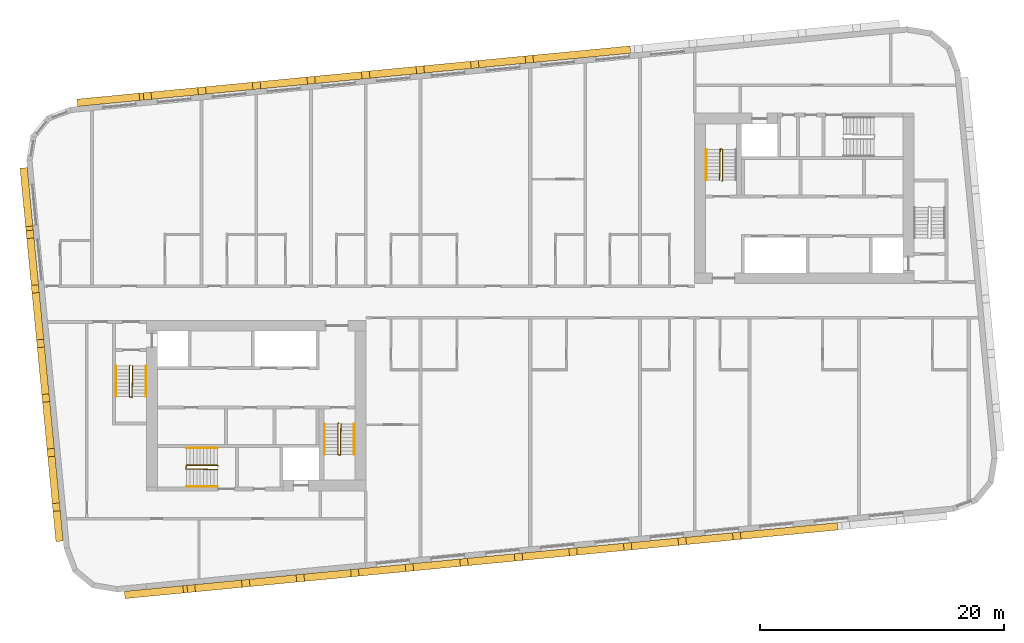
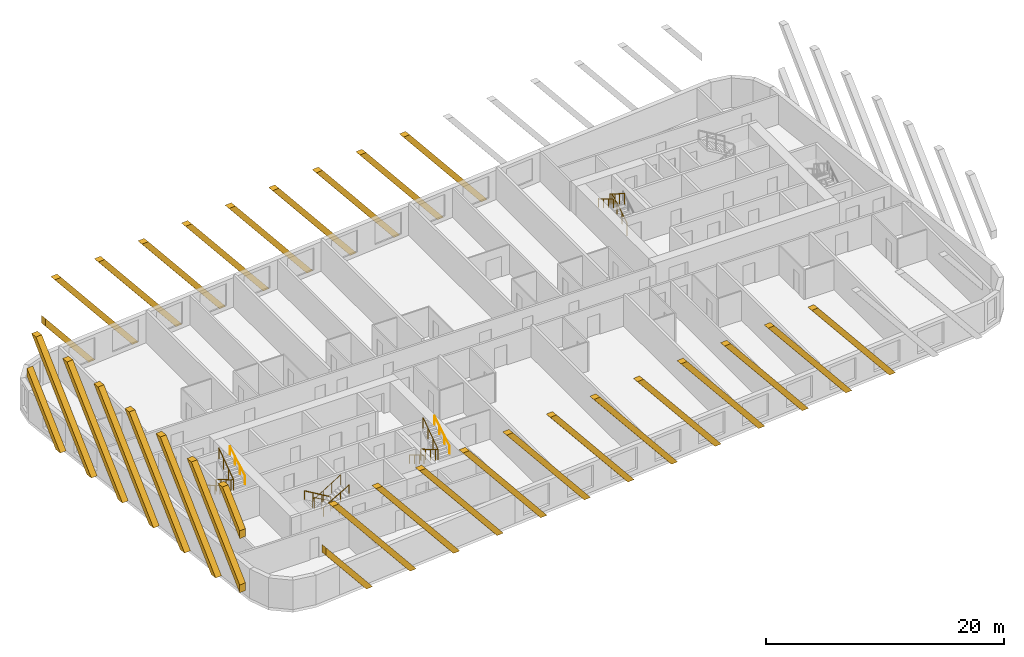
# One storey, part 11 of 12: 31 coverings, 11 railings.
"""IFC4 building model written with IfcOpenShell, lengths in metres."""

from ifc_helpers import new_model, si_unit, direction, frame, origin, origin_2d, place, context, subcontext, project, spatial, polyline, rectangle, circle, outline, extrude, material, material_profile, profile_set, type_object, element, save


model = new_model("IFC4")

# Units and contexts
model_context = context("Model", 3, precision=1e-05, world=origin(), true_north=direction((0.0, 1.0)))
body_context = subcontext(model_context, "Body", "Model", "MODEL_VIEW")
ifc_project = project(units=[si_unit("LENGTHUNIT", "METRE"), si_unit("AREAUNIT", "SQUARE_METRE"), si_unit("VOLUMEUNIT", "CUBIC_METRE"), si_unit("PLANEANGLEUNIT", "RADIAN"), si_unit("MASSUNIT", "GRAM", prefix="KILO")], contexts=[model_context])

# Site, building, storey
site_placement = place(None, origin())
site = spatial("IfcSite", under=ifc_project, at=site_placement, CompositionType="ELEMENT")
building_placement = place(site_placement, origin())
building = spatial("IfcBuilding", under=site, at=building_placement, Name="Kajstack Hotel Tower", CompositionType="ELEMENT")
storey_placement = place(building_placement, frame((0.0, 0.0, 288.300048828125)))
storey = spatial("IfcBuildingStorey", under=building, at=storey_placement, Name="L72", CompositionType="ELEMENT", Elevation=288.300048828125)

# Coverings
ifc_material_1 = material(Name="Terracotta", Category="masonry")
ifc_material_profile = material_profile(ifc_material_1, rectangle(XDim=0.60009765625, YDim=0.5, at=origin_2d()), Name="Terracotta-clad concrete baguette 500 x 600")
ifc_profile_set = profile_set([ifc_material_profile], Name="Terracotta")
covering_type = type_object("IfcCoveringType", Name="BAGUETTE 500x600", PredefinedType="CLADDING", material=ifc_profile_set)
covering_1_placement = place(storey_placement, frame((-41.298828125, 11.0390625, 0.0), z_axis=(-0.995377661201, -0.096038073607, 0.0), x_axis=(0.096038073607, -0.995377661201, 0.0)))
element("IfcCovering", 1, at=covering_1_placement, inside=storey, type_object=covering_type, Name="Baguette L72-00-002", PredefinedType="CLADDING", context=body_context, shape_type="SweptSolid", body=[
    extrude(outline(polyline([(4.82177734375, 0.0), (0.0, 5.954345703125), (0.0, 5.15966796875), (4.17822265625, 0.0), (4.82177734375, 0.0)])), origin(), (0.0, 0.0, 1.0), 0.599853515625),
])
for number, where, z_axis, x_axis, name in (
    (2, (-41.2353515625, 10.380615234375, 0.0), (-0.995416482233, -0.095634862357, 0.0), (0.095634862357, -0.995416482233, 0.0), "Baguette L72-00-006"),
    (3, (-40.80419921875, 5.9013671875, 0.0), (-0.995377661201, -0.096038073607, 0.0), (0.096038073607, -0.995377661201, 0.0), "Baguette L72-00-010"),
    (4, (-40.372802734375, 1.422119140625, 0.0), (-0.995377661201, -0.096038073607, 0.0), (0.096038073607, -0.995377661201, 0.0), "Baguette L72-00-014"),
):
    element("IfcCovering", number, at=place(storey_placement, frame(where, z_axis=z_axis, x_axis=x_axis)), inside=storey, type_object=covering_type, Name=name, PredefinedType="CLADDING", context=body_context, shape_type="SweptSolid", body=[
        extrude(outline(polyline([(0.0, 9.89990234375), (8.016845703125, 0.0), (8.66015625, 0.0), (0.643310546875, 9.89990234375), (0.0, 9.89990234375)])), origin(), (0.0, 0.0, 1.0), 0.599853515625),
    ])
covering_2_placement = place(storey_placement, frame((-39.94140625, -3.05712890625, 0.0), z_axis=(-0.995381412265, -0.095999188106, 0.0), x_axis=(0.095999188106, -0.995381412265, 0.0)))
element("IfcCovering", 5, at=covering_2_placement, inside=storey, type_object=covering_type, Name="Baguette L72-00-018", PredefinedType="CLADDING", context=body_context, shape_type="SweptSolid", body=[
    extrude(outline(polyline([(0.0, 9.89990234375), (8.016845703125, 0.0), (8.66015625, 0.0), (0.643310546875, 9.89990234375), (0.0, 9.89990234375)])), origin(), (0.0, 0.0, 1.0), 0.60009765625),
])
covering_3_placement = place(storey_placement, frame((-39.51025390625, -7.536376953125, 0.0), z_axis=(-0.995377661201, -0.096038073607, 0.0), x_axis=(0.096038073607, -0.995377661201, 0.0)))
element("IfcCovering", 6, at=covering_3_placement, inside=storey, type_object=covering_type, Name="Baguette L72-00-022", PredefinedType="CLADDING", context=body_context, shape_type="SweptSolid", body=[
    extrude(outline(polyline([(0.0, 9.89990234375), (8.016845703125, 0.0), (8.66015625, 0.0), (0.643310546875, 9.89990234375), (0.0, 9.89990234375)])), origin(), (0.0, 0.0, 1.0), 0.599853515625),
])
covering_4_placement = place(storey_placement, frame((-39.078857421875, -12.015869140625, 0.0), z_axis=(-0.995416482233, -0.095634862357, 0.0), x_axis=(0.095634862357, -0.995416482233, 0.0)))
element("IfcCovering", 7, at=covering_4_placement, inside=storey, type_object=covering_type, Name="Baguette L72-00-026", PredefinedType="CLADDING", context=body_context, shape_type="SweptSolid", body=[
    extrude(outline(polyline([(0.0, 9.89990234375), (7.638671875, 0.46728515625), (7.638671875, 1.26171875), (0.643310546875, 9.89990234375), (0.0, 9.89990234375)])), origin(), (0.0, 0.0, 1.0), 0.599853515625),
])
covering_5_placement = place(storey_placement, frame((-38.6474609375, -16.4951171875, 0.0), z_axis=(-0.995420202011, -0.095596137095, 0.0), x_axis=(0.095596137095, -0.995420202011, 0.0)))
element("IfcCovering", 8, at=covering_5_placement, inside=storey, type_object=covering_type, Name="Baguette L72-00-030", PredefinedType="CLADDING", context=body_context, shape_type="SweptSolid", body=[
    extrude(outline(polyline([(0.0, 9.89990234375), (3.138671875, 6.024169921875), (3.138671875, 6.818603515625), (0.643310546875, 9.89990234375), (0.0, 9.89990234375)])), origin(), (0.0, 0.0, 1.0), 0.60009765625),
])
covering_6_placement = place(storey_placement, frame((-33.3271484375, -23.757080078125, 0.0), z_axis=(0.096038073607, -0.995377661201, 0.0), x_axis=(0.995377661201, 0.096038073607, 0.0)))
element("IfcCovering", 9, at=covering_6_placement, inside=storey, type_object=covering_type, Name="Baguette L72-04-002", PredefinedType="CLADDING", context=body_context, shape_type="SweptSolid", body=[
    extrude(outline(polyline([(4.82177734375, 0.0), (0.0, 5.954345703125), (0.0, 5.15966796875), (4.17822265625, 0.0), (4.82177734375, 0.0)])), origin(), (0.0, 0.0, 1.0), 0.599853515625),
])
covering_7_placement = place(storey_placement, frame((-32.668701171875, -23.693603515625, 0.0), z_axis=(0.095999188106, -0.995381412265, 0.0), x_axis=(0.995381412265, 0.095999188106, 0.0)))
element("IfcCovering", 10, at=covering_7_placement, inside=storey, type_object=covering_type, Name="Baguette L72-04-006", PredefinedType="CLADDING", context=body_context, shape_type="SweptSolid", body=[
    extrude(outline(polyline([(0.0, 9.89990234375), (8.016845703125, 0.0), (8.66015625, 0.0), (0.643310546875, 9.89990234375), (0.0, 9.89990234375)])), origin(), (0.0, 0.0, 1.0), 0.60009765625),
])
for number, where, z_axis, x_axis, name in (
    (11, (-28.189453125, -23.262451171875, 0.0), (0.096038073607, -0.995377661201, 0.0), (0.995377661201, 0.096038073607, 0.0), "Baguette L72-04-010"),
    (12, (-23.710205078125, -22.8310546875, 0.0), (0.096038073607, -0.995377661201, 0.0), (0.995377661201, 0.096038073607, 0.0), "Baguette L72-04-014"),
):
    element("IfcCovering", number, at=place(storey_placement, frame(where, z_axis=z_axis, x_axis=x_axis)), inside=storey, type_object=covering_type, Name=name, PredefinedType="CLADDING", context=body_context, shape_type="SweptSolid", body=[
        extrude(outline(polyline([(0.0, 9.89990234375), (8.016845703125, 0.0), (8.66015625, 0.0), (0.643310546875, 9.89990234375), (0.0, 9.89990234375)])), origin(), (0.0, 0.0, 1.0), 0.599853515625),
    ])
covering_8_placement = place(storey_placement, frame((-19.230712890625, -22.399658203125, 0.0), z_axis=(0.095596137095, -0.995420202011, 0.0), x_axis=(0.995420202011, 0.095596137095, 0.0)))
element("IfcCovering", 13, at=covering_8_placement, inside=storey, type_object=covering_type, Name="Baguette L72-04-018", PredefinedType="CLADDING", context=body_context, shape_type="SweptSolid", body=[
    extrude(outline(polyline([(0.0, 9.89990234375), (8.016845703125, 0.0), (8.66015625, 0.0), (0.643310546875, 9.89990234375), (0.0, 9.89990234375)])), origin(), (0.0, 0.0, 1.0), 0.60009765625),
])
for number, where, z_axis, x_axis, name in (
    (14, (-14.75146484375, -21.968505859375, 0.0), (0.095634862357, -0.995416482233, 0.0), (0.995416482233, 0.095634862357, 0.0), "Baguette L72-04-022"),
    (15, (-10.272216796875, -21.537109375, 0.0), (0.095634862357, -0.995416482233, 0.0), (0.995416482233, 0.095634862357, 0.0), "Baguette L72-04-026"),
    (16, (-5.79296875, -21.10595703125, 0.0), (0.096038073607, -0.995377661201, 0.0), (0.995377661201, 0.096038073607, 0.0), "Baguette L72-04-030"),
    (17, (-1.313720703125, -20.674560546875, 0.0), (0.096038073607, -0.995377661201, 0.0), (0.995377661201, 0.096038073607, 0.0), "Baguette L72-04-034"),
):
    element("IfcCovering", number, at=place(storey_placement, frame(where, z_axis=z_axis, x_axis=x_axis)), inside=storey, type_object=covering_type, Name=name, PredefinedType="CLADDING", context=body_context, shape_type="SweptSolid", body=[
        extrude(outline(polyline([(0.0, 9.89990234375), (8.016845703125, 0.0), (8.66015625, 0.0), (0.643310546875, 9.89990234375), (0.0, 9.89990234375)])), origin(), (0.0, 0.0, 1.0), 0.599853515625),
    ])
covering_9_placement = place(storey_placement, frame((3.16552734375, -20.2431640625, 0.0), z_axis=(0.095999188106, -0.995381412265, 0.0), x_axis=(0.995381412265, 0.095999188106, 0.0)))
element("IfcCovering", 18, at=covering_9_placement, inside=storey, type_object=covering_type, Name="Baguette L72-04-038", PredefinedType="CLADDING", context=body_context, shape_type="SweptSolid", body=[
    extrude(outline(polyline([(0.0, 9.89990234375), (8.016845703125, 0.0), (8.66015625, 0.0), (0.643310546875, 9.89990234375), (0.0, 9.89990234375)])), origin(), (0.0, 0.0, 1.0), 0.60009765625),
])
for number, where, z_axis, x_axis, name in (
    (19, (7.644775390625, -19.81201171875, 0.0), (0.096038073607, -0.995377661201, 0.0), (0.995377661201, 0.096038073607, 0.0), "Baguette L72-04-042"),
    (20, (12.1240234375, -19.380615234375, 0.0), (0.096038073607, -0.995377661201, 0.0), (0.995377661201, 0.096038073607, 0.0), "Baguette L72-04-046"),
):
    element("IfcCovering", number, at=place(storey_placement, frame(where, z_axis=z_axis, x_axis=x_axis)), inside=storey, type_object=covering_type, Name=name, PredefinedType="CLADDING", context=body_context, shape_type="SweptSolid", body=[
        extrude(outline(polyline([(0.0, 9.89990234375), (8.016845703125, 0.0), (8.66015625, 0.0), (0.643310546875, 9.89990234375), (0.0, 9.89990234375)])), origin(), (0.0, 0.0, 1.0), 0.599853515625),
    ])
covering_10_placement = place(storey_placement, frame((16.603515625, -18.94921875, 0.0), z_axis=(0.095596137095, -0.995420202011, 0.0), x_axis=(0.995420202011, 0.095596137095, 0.0)))
element("IfcCovering", 21, at=covering_10_placement, inside=storey, type_object=covering_type, Name="Baguette L72-04-050", PredefinedType="CLADDING", context=body_context, shape_type="SweptSolid", body=[
    extrude(outline(polyline([(0.0, 9.89990234375), (8.016845703125, 0.0), (8.66015625, 0.0), (0.643310546875, 9.89990234375), (0.0, 9.89990234375)])), origin(), (0.0, 0.0, 1.0), 0.60009765625),
])
covering_11_placement = place(storey_placement, frame((8.2509765625, 20.431396484375, 0.0), z_axis=(-0.096038073607, 0.995377661201, 0.0), x_axis=(-0.995377661201, -0.096038073607, 0.0)))
element("IfcCovering", 22, at=covering_11_placement, inside=storey, type_object=covering_type, Name="Baguette L72-12-026", PredefinedType="CLADDING", context=body_context, shape_type="SweptSolid", body=[
    extrude(outline(polyline([(8.016845703125, 9.89990234375), (0.0, 0.0), (0.643310546875, 0.0), (8.66015625, 9.89990234375), (8.016845703125, 9.89990234375)])), origin(), (0.0, 0.0, 1.0), 0.599853515625),
])
covering_12_placement = place(storey_placement, frame((3.771484375, 20.0, 0.0), z_axis=(-0.095596137095, 0.995420202011, 0.0), x_axis=(-0.995420202011, -0.095596137095, 0.0)))
element("IfcCovering", 23, at=covering_12_placement, inside=storey, type_object=covering_type, Name="Baguette L72-12-030", PredefinedType="CLADDING", context=body_context, shape_type="SweptSolid", body=[
    extrude(outline(polyline([(8.016845703125, 9.89990234375), (0.0, 0.0), (0.643310546875, 0.0), (8.66015625, 9.89990234375), (8.016845703125, 9.89990234375)])), origin(), (0.0, 0.0, 1.0), 0.60009765625),
])
for number, where, z_axis, x_axis, name in (
    (24, (-0.707763671875, 19.56884765625, 0.0), (-0.095634862357, 0.995416482233, 0.0), (-0.995416482233, -0.095634862357, 0.0), "Baguette L72-12-034"),
    (25, (-5.18701171875, 19.137451171875, 0.0), (-0.095634862357, 0.995416482233, 0.0), (-0.995416482233, -0.095634862357, 0.0), "Baguette L72-12-038"),
):
    element("IfcCovering", number, at=place(storey_placement, frame(where, z_axis=z_axis, x_axis=x_axis)), inside=storey, type_object=covering_type, Name=name, PredefinedType="CLADDING", context=body_context, shape_type="SweptSolid", body=[
        extrude(outline(polyline([(8.016845703125, 9.89990234375), (0.0, 0.0), (0.643310546875, 0.0), (8.66015625, 9.89990234375), (8.016845703125, 9.89990234375)])), origin(), (0.0, 0.0, 1.0), 0.599853515625),
    ])
covering_13_placement = place(storey_placement, frame((-9.666259765625, 18.7060546875, 0.0), z_axis=(-0.095999188106, 0.995381412265, 0.0), x_axis=(-0.995381412265, -0.095999188106, 0.0)))
element("IfcCovering", 26, at=covering_13_placement, inside=storey, type_object=covering_type, Name="Baguette L72-12-042", PredefinedType="CLADDING", context=body_context, shape_type="SweptSolid", body=[
    extrude(outline(polyline([(8.016845703125, 9.89990234375), (0.0, 0.0), (0.643310546875, 0.0), (8.66015625, 9.89990234375), (8.016845703125, 9.89990234375)])), origin(), (0.0, 0.0, 1.0), 0.60009765625),
])
for number, where, z_axis, x_axis, name in (
    (27, (-14.1455078125, 18.27490234375, 0.0), (-0.096038073607, 0.995377661201, 0.0), (-0.995377661201, -0.096038073607, 0.0), "Baguette L72-12-046"),
    (28, (-18.624755859375, 17.843505859375, 0.0), (-0.096038073607, 0.995377661201, 0.0), (-0.995377661201, -0.096038073607, 0.0), "Baguette L72-12-050"),
):
    element("IfcCovering", number, at=place(storey_placement, frame(where, z_axis=z_axis, x_axis=x_axis)), inside=storey, type_object=covering_type, Name=name, PredefinedType="CLADDING", context=body_context, shape_type="SweptSolid", body=[
        extrude(outline(polyline([(8.016845703125, 9.89990234375), (0.0, 0.0), (0.643310546875, 0.0), (8.66015625, 9.89990234375), (8.016845703125, 9.89990234375)])), origin(), (0.0, 0.0, 1.0), 0.599853515625),
    ])
covering_14_placement = place(storey_placement, frame((-23.10400390625, 17.412109375, 0.0), z_axis=(-0.095999188106, 0.995381412265, 0.0), x_axis=(-0.995381412265, -0.095999188106, 0.0)))
element("IfcCovering", 29, at=covering_14_placement, inside=storey, type_object=covering_type, Name="Baguette L72-12-054", PredefinedType="CLADDING", context=body_context, shape_type="SweptSolid", body=[
    extrude(outline(polyline([(8.016845703125, 9.89990234375), (0.0, 0.0), (0.643310546875, 0.0), (8.66015625, 9.89990234375), (8.016845703125, 9.89990234375)])), origin(), (0.0, 0.0, 1.0), 0.60009765625),
])
covering_15_placement = place(storey_placement, frame((-27.58349609375, 16.98095703125, 0.0), z_axis=(-0.095634862357, 0.995416482233, 0.0), x_axis=(-0.995416482233, -0.095634862357, 0.0)))
element("IfcCovering", 30, at=covering_15_placement, inside=storey, type_object=covering_type, Name="Baguette L72-12-058", PredefinedType="CLADDING", context=body_context, shape_type="SweptSolid", body=[
    extrude(outline(polyline([(8.016845703125, 9.89990234375), (0.0, 0.0), (0.643310546875, 0.0), (8.66015625, 9.89990234375), (8.016845703125, 9.89990234375)])), origin(), (0.0, 0.0, 1.0), 0.599853515625),
])
covering_16_placement = place(storey_placement, frame((-32.062744140625, 16.549560546875, 0.0), z_axis=(-0.095634862357, 0.995416482233, 0.0), x_axis=(-0.995416482233, -0.095634862357, 0.0)))
element("IfcCovering", 31, at=covering_16_placement, inside=storey, type_object=covering_type, Name="Baguette L72-12-062", PredefinedType="CLADDING", context=body_context, shape_type="SweptSolid", body=[
    extrude(outline(polyline([(0.643310546875, 0.0), (5.121826171875, 5.5302734375), (5.121826171875, 6.324951171875), (0.0, 0.0), (0.643310546875, 0.0)])), origin(), (0.0, 0.0, 1.0), 0.599853515625),
])

# Railings
ifc_material_2 = material(Name="Steel S355J2", Category="steel")
railing_type_1 = type_object("IfcRailingType", Name="Stair guard 1100", PredefinedType="GUARDRAIL", material=ifc_material_2)
railing_1_placement = place(storey_placement, frame((-32.85009765625, -5.199951171875, 0.0)))
element("IfcRailing", 32, at=railing_1_placement, inside=storey, type_object=railing_type_1, Name="L72 W1 stair guard 1", PredefinedType="GUARDRAIL", context=body_context, shape_type="SweptSolid", body=[
    extrude(circle(Radius=0.02392578125, at=origin_2d()), frame((0.0, 0.0, 1.076171875), z_axis=(-0.277450376394, -0.278810427259, 0.919394384522), x_axis=(0.708833529934, -0.705375805398, 0.0)), (0.0, 0.0, 1.0), 0.179443359375),
    extrude(circle(Radius=0.02392578125, at=origin_2d()), frame((-0.0498046875, -0.050048828125, 1.2412109375), z_axis=(0.0, -0.861560626758, 0.507654692109), x_axis=(1.0, 0.0, 0.0)), (0.0, 0.0, 1.0), 2.925048828125),
    extrude(circle(Radius=0.02392578125, at=origin_2d()), frame((-0.0498046875, -2.570068359375, 2.72607421875), z_axis=(0.970072785993, -0.242814311512, 0.0), x_axis=(0.242814311512, 0.970072785993, 0.0)), (0.0, 0.0, 1.0), 0.2060546875),
    extrude(circle(Radius=0.02392578125, at=origin_2d()), frame((0.150146484375, -2.6201171875, 2.72607421875), z_axis=(0.016384601254, 0.84136925563, 0.540212292087), x_axis=(-0.999810440751, 0.019470042781, 0.0)), (0.0, 0.0, 1.0), 3.0546875),
    extrude(circle(Radius=0.02099609375, at=origin_2d()), origin(), (0.0, 0.0, 1.0), 1.052001953125),
    extrude(circle(Radius=0.02099609375, at=origin_2d()), frame((-0.0498046875, -0.050048828125, 0.1650390625)), (0.0, 0.0, 1.0), 1.052001953125),
    extrude(circle(Radius=0.02099609375, at=origin_2d()), frame((-0.0498046875, -0.89013671875, 0.659912109375)), (0.0, 0.0, 1.0), 1.052001953125),
    extrude(circle(Radius=0.02099609375, at=origin_2d()), frame((-0.0498046875, -1.72998046875, 1.155029296875)), (0.0, 0.0, 1.0), 1.052001953125),
    extrude(circle(Radius=0.02099609375, at=origin_2d()), frame((-0.0498046875, -2.570068359375, 1.64990234375)), (0.0, 0.0, 1.0), 1.052001953125),
    extrude(circle(Radius=0.02099609375, at=origin_2d()), frame((0.150146484375, -2.6201171875, 1.64990234375)), (0.0, 0.0, 1.0), 1.052001953125),
    extrude(circle(Radius=0.02099609375, at=origin_2d()), frame((0.166748046875, -1.763427734375, 2.199951171875)), (0.0, 0.0, 1.0), 1.052001953125),
    extrude(circle(Radius=0.02099609375, at=origin_2d()), frame((0.18359375, -0.90673828125, 2.75)), (0.0, 0.0, 1.0), 1.052001953125),
    extrude(circle(Radius=0.02099609375, at=origin_2d()), frame((0.2001953125, -0.050048828125, 3.300048828125)), (0.0, 0.0, 1.0), 1.052001953125),
])
railing_2_placement = place(storey_placement, frame((-15.75, -9.949951171875, 0.0)))
element("IfcRailing", 33, at=railing_2_placement, inside=storey, type_object=railing_type_1, Name="L72 W2 stair guard 1", PredefinedType="GUARDRAIL", context=body_context, shape_type="SweptSolid", body=[
    extrude(circle(Radius=0.02392578125, at=origin_2d()), frame((0.0, 0.0, 1.076171875), z_axis=(-0.278705021027, -0.278705021027, 0.919046801044), x_axis=(0.707106781187, -0.707106781187, 0.0)), (0.0, 0.0, 1.0), 0.1796875),
    extrude(circle(Radius=0.02392578125, at=origin_2d()), frame((-0.050048828125, -0.050048828125, 1.2412109375), z_axis=(0.0, -0.861560626758, 0.507654692109), x_axis=(1.0, 0.0, 0.0)), (0.0, 0.0, 1.0), 2.925048828125),
    extrude(circle(Radius=0.02392578125, at=origin_2d()), frame((-0.050048828125, -2.570068359375, 2.72607421875), z_axis=(0.970072785993, -0.242814311512, 0.0), x_axis=(0.242814311512, 0.970072785993, 0.0)), (0.0, 0.0, 1.0), 0.2060546875),
    extrude(circle(Radius=0.02392578125, at=origin_2d()), frame((0.14990234375, -2.6201171875, 2.72607421875), z_axis=(0.016384601254, 0.84136925563, 0.540212292087), x_axis=(-0.999810440751, 0.019470042781, 0.0)), (0.0, 0.0, 1.0), 3.0546875),
    extrude(circle(Radius=0.02099609375, at=origin_2d()), origin(), (0.0, 0.0, 1.0), 1.052001953125),
    extrude(circle(Radius=0.02099609375, at=origin_2d()), frame((-0.050048828125, -0.050048828125, 0.1650390625)), (0.0, 0.0, 1.0), 1.052001953125),
    extrude(circle(Radius=0.02099609375, at=origin_2d()), frame((-0.050048828125, -0.89013671875, 0.659912109375)), (0.0, 0.0, 1.0), 1.052001953125),
    extrude(circle(Radius=0.02099609375, at=origin_2d()), frame((-0.050048828125, -1.72998046875, 1.155029296875)), (0.0, 0.0, 1.0), 1.052001953125),
    extrude(circle(Radius=0.02099609375, at=origin_2d()), frame((-0.050048828125, -2.570068359375, 1.64990234375)), (0.0, 0.0, 1.0), 1.052001953125),
    extrude(circle(Radius=0.02099609375, at=origin_2d()), frame((0.14990234375, -2.6201171875, 1.64990234375)), (0.0, 0.0, 1.0), 1.052001953125),
    extrude(circle(Radius=0.02099609375, at=origin_2d()), frame((0.16650390625, -1.763427734375, 2.199951171875)), (0.0, 0.0, 1.0), 1.052001953125),
    extrude(circle(Radius=0.02099609375, at=origin_2d()), frame((0.183349609375, -0.90673828125, 2.75)), (0.0, 0.0, 1.0), 1.052001953125),
    extrude(circle(Radius=0.02099609375, at=origin_2d()), frame((0.199951171875, -0.050048828125, 3.300048828125)), (0.0, 0.0, 1.0), 1.052001953125),
])
railing_3_placement = place(storey_placement, frame((-25.64990234375, -13.449951171875, 0.0)))
element("IfcRailing", 34, at=railing_3_placement, inside=storey, type_object=railing_type_1, Name="L72 W3 stair guard 1", PredefinedType="GUARDRAIL", context=body_context, shape_type="SweptSolid", body=[
    extrude(circle(Radius=0.02392578125, at=origin_2d()), frame((0.0, 0.0, 1.076171875), z_axis=(-0.278705021027, 0.278705021027, 0.919046801044), x_axis=(-0.707106781187, -0.707106781187, 0.0)), (0.0, 0.0, 1.0), 0.1796875),
    extrude(circle(Radius=0.02392578125, at=origin_2d()), frame((-0.050048828125, 0.050048828125, 1.2412109375), z_axis=(-0.861560626758, 0.0, 0.507654692109), x_axis=(0.0, -1.0, 0.0)), (0.0, 0.0, 1.0), 2.925048828125),
    extrude(circle(Radius=0.02392578125, at=origin_2d()), frame((-2.570068359375, 0.050048828125, 2.72607421875), z_axis=(-0.164529134168, -0.986372223864, 0.0), x_axis=(0.986372223864, -0.164529134168, 0.0)), (0.0, 0.0, 1.0), 0.30419921875),
    extrude(circle(Radius=0.02392578125, at=origin_2d()), frame((-2.6201171875, -0.25, 2.72607421875), z_axis=(0.84136925563, -0.016384601254, 0.540212292087), x_axis=(0.019470042781, 0.999810440751, 0.0)), (0.0, 0.0, 1.0), 3.0546875),
    extrude(circle(Radius=0.02099609375, at=origin_2d()), origin(), (0.0, 0.0, 1.0), 1.052001953125),
    extrude(circle(Radius=0.02099609375, at=origin_2d()), frame((-0.050048828125, 0.050048828125, 0.1650390625)), (0.0, 0.0, 1.0), 1.052001953125),
    extrude(circle(Radius=0.02099609375, at=origin_2d()), frame((-0.89013671875, 0.050048828125, 0.659912109375)), (0.0, 0.0, 1.0), 1.052001953125),
    extrude(circle(Radius=0.02099609375, at=origin_2d()), frame((-1.72998046875, 0.050048828125, 1.155029296875)), (0.0, 0.0, 1.0), 1.052001953125),
    extrude(circle(Radius=0.02099609375, at=origin_2d()), frame((-2.570068359375, 0.050048828125, 1.64990234375)), (0.0, 0.0, 1.0), 1.052001953125),
    extrude(circle(Radius=0.02099609375, at=origin_2d()), frame((-2.6201171875, -0.25, 1.64990234375)), (0.0, 0.0, 1.0), 1.052001953125),
    extrude(circle(Radius=0.02099609375, at=origin_2d()), frame((-1.763427734375, -0.2666015625, 2.199951171875)), (0.0, 0.0, 1.0), 1.052001953125),
    extrude(circle(Radius=0.02099609375, at=origin_2d()), frame((-0.90673828125, -0.283447265625, 2.75)), (0.0, 0.0, 1.0), 1.052001953125),
    extrude(circle(Radius=0.02099609375, at=origin_2d()), frame((-0.050048828125, -0.300048828125, 3.300048828125)), (0.0, 0.0, 1.0), 1.052001953125),
])
railing_4_placement = place(storey_placement, frame((15.75, 9.949951171875, 0.0)))
element("IfcRailing", 35, at=railing_4_placement, inside=storey, type_object=railing_type_1, Name="L72 E2 stair guard 1", PredefinedType="GUARDRAIL", context=body_context, shape_type="SweptSolid", body=[
    extrude(circle(Radius=0.02392578125, at=origin_2d()), frame((0.0, 0.0, 1.076171875), z_axis=(0.278705021027, 0.278705021027, 0.919046801044), x_axis=(-0.707106781187, 0.707106781187, 0.0)), (0.0, 0.0, 1.0), 0.1796875),
    extrude(circle(Radius=0.02392578125, at=origin_2d()), frame((0.050048828125, 0.050048828125, 1.2412109375), z_axis=(0.0, 0.861560626758, 0.507654692109), x_axis=(-1.0, 0.0, 0.0)), (0.0, 0.0, 1.0), 2.925048828125),
    extrude(circle(Radius=0.02392578125, at=origin_2d()), frame((0.050048828125, 2.570068359375, 2.72607421875), z_axis=(-0.970072785993, 0.242814311512, 0.0), x_axis=(-0.242814311512, -0.970072785993, 0.0)), (0.0, 0.0, 1.0), 0.2060546875),
    extrude(circle(Radius=0.02392578125, at=origin_2d()), frame((-0.14990234375, 2.6201171875, 2.72607421875), z_axis=(-0.016384601254, -0.84136925563, 0.540212292087), x_axis=(0.999810440751, -0.019470042781, 0.0)), (0.0, 0.0, 1.0), 3.0546875),
    extrude(circle(Radius=0.02099609375, at=origin_2d()), origin(), (0.0, 0.0, 1.0), 1.052001953125),
    extrude(circle(Radius=0.02099609375, at=origin_2d()), frame((0.050048828125, 0.050048828125, 0.1650390625)), (0.0, 0.0, 1.0), 1.052001953125),
    extrude(circle(Radius=0.02099609375, at=origin_2d()), frame((0.050048828125, 0.89013671875, 0.659912109375)), (0.0, 0.0, 1.0), 1.052001953125),
    extrude(circle(Radius=0.02099609375, at=origin_2d()), frame((0.050048828125, 1.72998046875, 1.155029296875)), (0.0, 0.0, 1.0), 1.052001953125),
    extrude(circle(Radius=0.02099609375, at=origin_2d()), frame((0.050048828125, 2.570068359375, 1.64990234375)), (0.0, 0.0, 1.0), 1.052001953125),
    extrude(circle(Radius=0.02099609375, at=origin_2d()), frame((-0.14990234375, 2.6201171875, 1.64990234375)), (0.0, 0.0, 1.0), 1.052001953125),
    extrude(circle(Radius=0.02099609375, at=origin_2d()), frame((-0.16650390625, 1.763427734375, 2.199951171875)), (0.0, 0.0, 1.0), 1.052001953125),
    extrude(circle(Radius=0.02099609375, at=origin_2d()), frame((-0.183349609375, 0.90673828125, 2.75)), (0.0, 0.0, 1.0), 1.052001953125),
    extrude(circle(Radius=0.02099609375, at=origin_2d()), frame((-0.199951171875, 0.050048828125, 3.300048828125)), (0.0, 0.0, 1.0), 1.052001953125),
])
railing_type_2 = type_object("IfcRailingType", Name="Stair handrail 900", PredefinedType="HANDRAIL", material=ifc_material_2)
railing_5_placement = place(storey_placement, frame((-34.0, -5.25, 0.1650390625)))
element("IfcRailing", 36, at=railing_5_placement, inside=storey, type_object=railing_type_2, Name="L72 W1 stair handrail 1", PredefinedType="HANDRAIL", context=body_context, shape_type="SweptSolid", body=[
    extrude(circle(Radius=0.02392578125, at=origin_2d()), frame((0.0, 0.0, 0.8759765625), z_axis=(0.0, -0.861560626758, 0.507654692109), x_axis=(1.0, 0.0, 0.0)), (0.0, 0.0, 1.0), 2.925048828125),
    extrude(circle(Radius=0.02099609375, at=origin_2d()), origin(), (0.0, 0.0, 1.0), 0.851806640625),
    extrude(circle(Radius=0.02099609375, at=origin_2d()), frame((0.0, -0.840087890625, 0.494873046875)), (0.0, 0.0, 1.0), 0.851806640625),
    extrude(circle(Radius=0.02099609375, at=origin_2d()), frame((0.0, -1.679931640625, 0.989990234375)), (0.0, 0.0, 1.0), 0.851806640625),
    extrude(circle(Radius=0.02099609375, at=origin_2d()), frame((0.0, -2.52001953125, 1.48486328125)), (0.0, 0.0, 1.0), 0.851806640625),
])
railing_6_placement = place(storey_placement, frame((-31.550048828125, -7.77001953125, 1.81494140625)))
element("IfcRailing", 37, at=railing_6_placement, inside=storey, type_object=railing_type_2, Name="L72 W1 stair handrail 2", PredefinedType="HANDRAIL", context=body_context, shape_type="SweptSolid", body=[
    extrude(circle(Radius=0.02392578125, at=origin_2d()), frame((0.0, 0.0, 0.8759765625), z_axis=(0.0, 0.86152411907, 0.507716645641), x_axis=(-1.0, 0.0, 0.0)), (0.0, 0.0, 1.0), 2.925048828125),
    extrude(circle(Radius=0.02099609375, at=origin_2d()), origin(), (0.0, 0.0, 1.0), 0.851806640625),
    extrude(circle(Radius=0.02099609375, at=origin_2d()), frame((0.0, 0.840087890625, 0.4951171875)), (0.0, 0.0, 1.0), 0.851806640625),
    extrude(circle(Radius=0.02099609375, at=origin_2d()), frame((0.0, 1.679931640625, 0.989990234375)), (0.0, 0.0, 1.0), 0.851806640625),
    extrude(circle(Radius=0.02099609375, at=origin_2d()), frame((0.0, 2.52001953125, 1.485107421875)), (0.0, 0.0, 1.0), 0.851806640625),
])
railing_7_placement = place(storey_placement, frame((-16.89990234375, -10.0, 0.1650390625)))
element("IfcRailing", 38, at=railing_7_placement, inside=storey, type_object=railing_type_2, Name="L72 W2 stair handrail 1", PredefinedType="HANDRAIL", context=body_context, shape_type="SweptSolid", body=[
    extrude(circle(Radius=0.02392578125, at=origin_2d()), frame((0.0, 0.0, 0.8759765625), z_axis=(0.0, -0.861560626758, 0.507654692109), x_axis=(1.0, 0.0, 0.0)), (0.0, 0.0, 1.0), 2.925048828125),
    extrude(circle(Radius=0.02099609375, at=origin_2d()), origin(), (0.0, 0.0, 1.0), 0.851806640625),
    extrude(circle(Radius=0.02099609375, at=origin_2d()), frame((0.0, -0.840087890625, 0.494873046875)), (0.0, 0.0, 1.0), 0.851806640625),
    extrude(circle(Radius=0.02099609375, at=origin_2d()), frame((0.0, -1.679931640625, 0.989990234375)), (0.0, 0.0, 1.0), 0.851806640625),
    extrude(circle(Radius=0.02099609375, at=origin_2d()), frame((0.0, -2.52001953125, 1.48486328125)), (0.0, 0.0, 1.0), 0.851806640625),
])
railing_8_placement = place(storey_placement, frame((-14.449951171875, -12.52001953125, 1.81494140625)))
element("IfcRailing", 39, at=railing_8_placement, inside=storey, type_object=railing_type_2, Name="L72 W2 stair handrail 2", PredefinedType="HANDRAIL", context=body_context, shape_type="SweptSolid", body=[
    extrude(circle(Radius=0.02392578125, at=origin_2d()), frame((0.0, 0.0, 0.8759765625), z_axis=(0.0, 0.86152411907, 0.507716645641), x_axis=(-1.0, 0.0, 0.0)), (0.0, 0.0, 1.0), 2.925048828125),
    extrude(circle(Radius=0.02099609375, at=origin_2d()), origin(), (0.0, 0.0, 1.0), 0.851806640625),
    extrude(circle(Radius=0.02099609375, at=origin_2d()), frame((0.0, 0.840087890625, 0.4951171875)), (0.0, 0.0, 1.0), 0.851806640625),
    extrude(circle(Radius=0.02099609375, at=origin_2d()), frame((0.0, 1.679931640625, 0.989990234375)), (0.0, 0.0, 1.0), 0.851806640625),
    extrude(circle(Radius=0.02099609375, at=origin_2d()), frame((0.0, 2.52001953125, 1.485107421875)), (0.0, 0.0, 1.0), 0.851806640625),
])
railing_9_placement = place(storey_placement, frame((-25.699951171875, -12.0, 0.1650390625)))
element("IfcRailing", 40, at=railing_9_placement, inside=storey, type_object=railing_type_2, Name="L72 W3 stair handrail 1", PredefinedType="HANDRAIL", context=body_context, shape_type="SweptSolid", body=[
    extrude(circle(Radius=0.02392578125, at=origin_2d()), frame((0.0, 0.0, 0.8759765625), z_axis=(-0.861560626758, 0.0, 0.507654692109), x_axis=(0.0, -1.0, 0.0)), (0.0, 0.0, 1.0), 2.925048828125),
    extrude(circle(Radius=0.02099609375, at=origin_2d()), origin(), (0.0, 0.0, 1.0), 0.851806640625),
    extrude(circle(Radius=0.02099609375, at=origin_2d()), frame((-0.840087890625, 0.0, 0.494873046875)), (0.0, 0.0, 1.0), 0.851806640625),
    extrude(circle(Radius=0.02099609375, at=origin_2d()), frame((-1.679931640625, 0.0, 0.989990234375)), (0.0, 0.0, 1.0), 0.851806640625),
    extrude(circle(Radius=0.02099609375, at=origin_2d()), frame((-2.52001953125, 0.0, 1.48486328125)), (0.0, 0.0, 1.0), 0.851806640625),
])
railing_10_placement = place(storey_placement, frame((-28.219970703125, -15.14990234375, 1.81494140625)))
element("IfcRailing", 41, at=railing_10_placement, inside=storey, type_object=railing_type_2, Name="L72 W3 stair handrail 2", PredefinedType="HANDRAIL", context=body_context, shape_type="SweptSolid", body=[
    extrude(circle(Radius=0.02392578125, at=origin_2d()), frame((0.0, 0.0, 0.8759765625), z_axis=(0.86152411907, 0.0, 0.507716645641), x_axis=(0.0, 1.0, 0.0)), (0.0, 0.0, 1.0), 2.925048828125),
    extrude(circle(Radius=0.02099609375, at=origin_2d()), origin(), (0.0, 0.0, 1.0), 0.851806640625),
    extrude(circle(Radius=0.02099609375, at=origin_2d()), frame((0.840087890625, 0.0, 0.4951171875)), (0.0, 0.0, 1.0), 0.851806640625),
    extrude(circle(Radius=0.02099609375, at=origin_2d()), frame((1.679931640625, 0.0, 0.989990234375)), (0.0, 0.0, 1.0), 0.851806640625),
    extrude(circle(Radius=0.02099609375, at=origin_2d()), frame((2.52001953125, 0.0, 1.485107421875)), (0.0, 0.0, 1.0), 0.851806640625),
])
railing_11_placement = place(storey_placement, frame((14.449951171875, 12.52001953125, 1.81494140625)))
element("IfcRailing", 42, at=railing_11_placement, inside=storey, type_object=railing_type_2, Name="L72 E2 stair handrail 2", PredefinedType="HANDRAIL", context=body_context, shape_type="SweptSolid", body=[
    extrude(circle(Radius=0.02392578125, at=origin_2d()), frame((0.0, 0.0, 0.8759765625), z_axis=(0.0, -0.86152411907, 0.507716645641), x_axis=(1.0, 0.0, 0.0)), (0.0, 0.0, 1.0), 2.925048828125),
    extrude(circle(Radius=0.02099609375, at=origin_2d()), origin(), (0.0, 0.0, 1.0), 0.851806640625),
    extrude(circle(Radius=0.02099609375, at=origin_2d()), frame((0.0, -0.840087890625, 0.4951171875)), (0.0, 0.0, 1.0), 0.851806640625),
    extrude(circle(Radius=0.02099609375, at=origin_2d()), frame((0.0, -1.679931640625, 0.989990234375)), (0.0, 0.0, 1.0), 0.851806640625),
    extrude(circle(Radius=0.02099609375, at=origin_2d()), frame((0.0, -2.52001953125, 1.485107421875)), (0.0, 0.0, 1.0), 0.851806640625),
])

save(model, "model.ifc")
